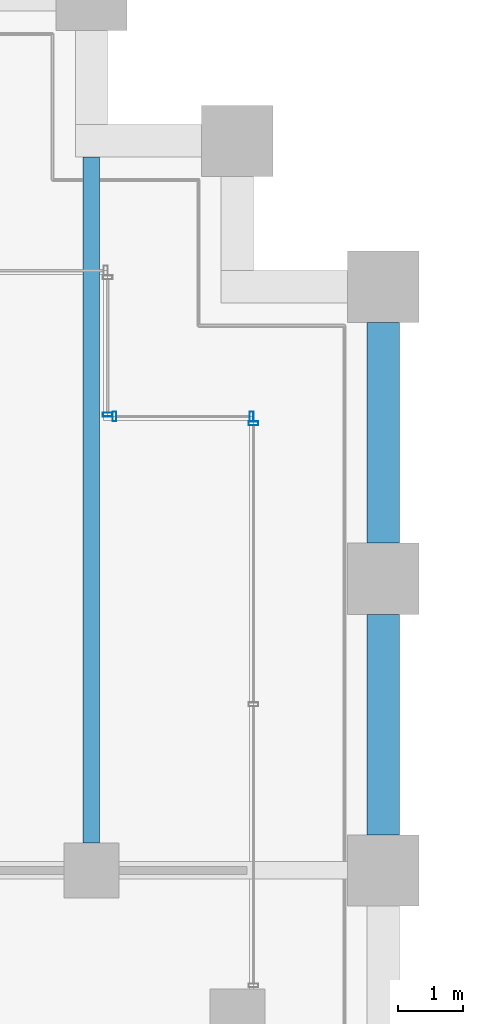
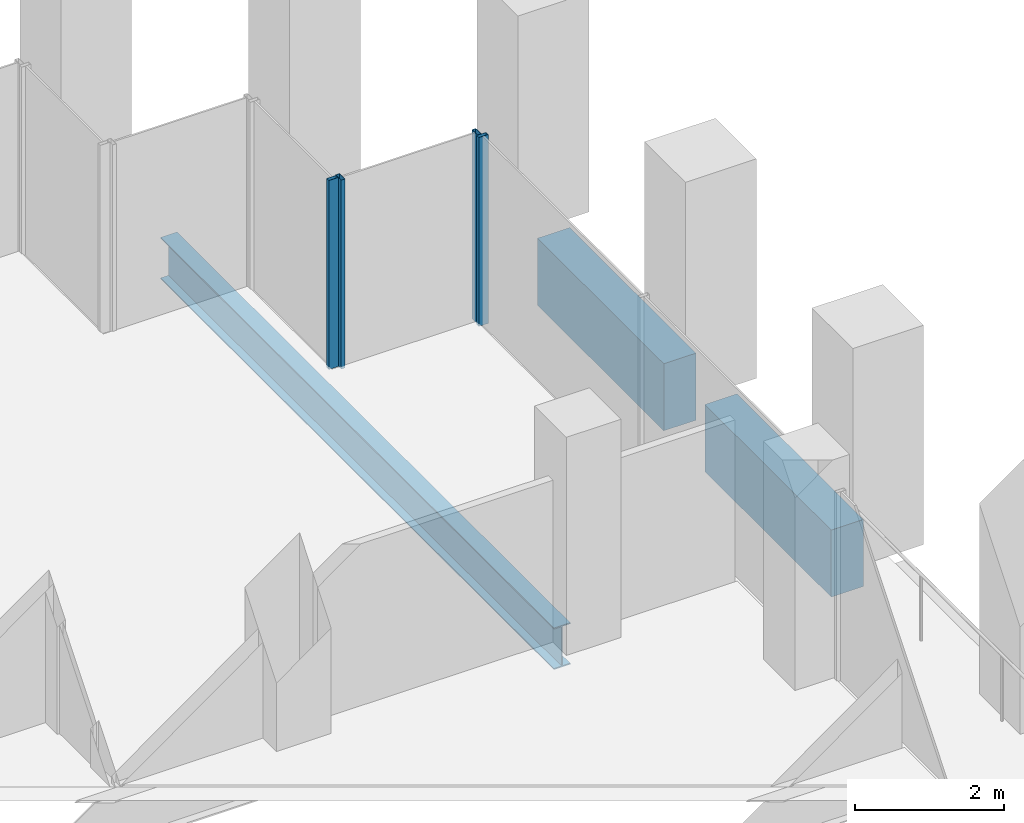
# One storey, part 31 of 56: 4 members, 3 beams, 3 elements without a shape of their own.
"""IFC4 building model written with IfcOpenShell, lengths in metres."""

import ifcopenshell
import ifcopenshell.guid

model = None  # the IFC model being written
_history = None  # IfcOwnerHistory: only IFC2X3 demands one
_inside = {}  # id of a spatial element -> (the spatial element, [elements in it])
_under = {}  # id of a project, library or spatial element -> (it, [spatial elements below it])
_declared = {}  # id of a project -> (the project, [libraries it declares])
_typed = {}  # id of a type object -> (the type object, [elements of that type])
_made_of = {}  # id of a material, layer set ... -> (it, [elements and type objects made of it])


def new_model(schema):
    """Start an empty IFC model of exactly this schema.

    Asked for "IFC4X3", IfcOpenShell would pick the latest addendum, in which some entities
    have other attributes; the version numbers below select the first issue.
    IFC2X3 requires an IfcOwnerHistory on every rooted entity: one is made here for all.
    """
    global model, _history
    if schema == "IFC4X3":
        model = ifcopenshell.file(schema_version=(4, 3, 0, 0))
    else:
        model = ifcopenshell.file(schema=schema)
    _inside.clear()
    _under.clear()
    _declared.clear()
    _typed.clear()
    _made_of.clear()
    _history = None
    if model.schema == "IFC2X3":
        org = make("IfcOrganization", Name="unknown")
        user = make(
            "IfcPersonAndOrganization",
            ThePerson=make("IfcPerson", FamilyName="unknown"),
            TheOrganization=org,
        )
        app = make(
            "IfcApplication",
            ApplicationDeveloper=org,
            Version="unknown",
            ApplicationFullName="unknown",
            ApplicationIdentifier="unknown",
        )
        _history = make(
            "IfcOwnerHistory",
            OwningUser=user,
            OwningApplication=app,
            ChangeAction="ADDED",
            CreationDate=0,
        )
    return model


def make(cls, **values):
    """One entity of the class cls with the attributes given. An attribute that is None is left unset."""
    return model.create_entity(
        cls, **{name: value for name, value in values.items() if value is not None}
    )


def rooted(cls, **values):
    """An entity with a GlobalId (a new one), such as an element, a storey or a relation."""
    return make(cls, GlobalId=ifcopenshell.guid.new(), OwnerHistory=_history, **values)


def si_unit(unit_type, name, prefix=None):
    """IfcSIUnit, for example si_unit("LENGTHUNIT", "METRE", prefix="MILLI")."""
    return make("IfcSIUnit", UnitType=unit_type, Prefix=prefix, Name=name)


def assignment(units):
    """IfcUnitAssignment: the units of a project."""
    return None if units is None else make("IfcUnitAssignment", Units=units)


def point(xyz):
    """IfcCartesianPoint."""
    return None if xyz is None else make("IfcCartesianPoint", Coordinates=xyz)


def direction(xyz):
    """IfcDirection."""
    return None if xyz is None else make("IfcDirection", DirectionRatios=xyz)


def frame(location, z_axis=None, x_axis=None):
    """IfcAxis2Placement3D, a coordinate frame: its origin and axes. An axis left out is left unset."""
    return make(
        "IfcAxis2Placement3D",
        Location=point(location),
        Axis=direction(z_axis),
        RefDirection=direction(x_axis),
    )


def frame_2d(location, x_axis=None):
    """IfcAxis2Placement2D, a coordinate frame in the plane: its origin and x axis."""
    return make(
        "IfcAxis2Placement2D", Location=point(location), RefDirection=direction(x_axis)
    )


def origin():
    """The frame at (0, 0, 0) with its axes left unset."""
    return frame((0.0, 0.0, 0.0))


def origin_2d():
    """The frame at (0, 0) in the plane with its x axis left unset."""
    return frame_2d((0.0, 0.0))


def place(relative_to, where):
    """IfcLocalPlacement: puts the frame where relative to a parent placement (None: the world)."""
    return make(
        "IfcLocalPlacement", PlacementRelTo=relative_to, RelativePlacement=where
    )


def context(
    kind, dimensions, precision=None, world=None, true_north=None, identifier=None
):
    """IfcGeometricRepresentationContext, for example the 3D "Model" context."""
    return make(
        "IfcGeometricRepresentationContext",
        ContextIdentifier=identifier,
        ContextType=kind,
        CoordinateSpaceDimension=dimensions,
        Precision=precision,
        WorldCoordinateSystem=world,
        TrueNorth=true_north,
    )


def subcontext(parent, identifier, kind, view, scale=None):
    """IfcGeometricRepresentationSubContext, for example "Body" below "Model"."""
    return make(
        "IfcGeometricRepresentationSubContext",
        ContextIdentifier=identifier,
        ContextType=kind,
        ParentContext=parent,
        TargetScale=scale,
        TargetView=view,
    )


def project(units=None, contexts=None):
    """IfcProject with its units and contexts."""
    return rooted(
        "IfcProject",
        Name="project",
        RepresentationContexts=contexts,
        UnitsInContext=assignment(units),
    )


def spatial(cls, under=None, at=None, **own):
    """A site, building, storey or space (cls), placed at a placement, below another one or the project."""
    s = rooted(cls, ObjectPlacement=at, **own)
    if under is not None:
        _under.setdefault(under.id(), (under, []))[1].append(s)
    return s


def profile(cls, at=None, kind="AREA", **sizes):
    """A parametric profile (cls). Its sizes go by their IFC names, for example OverallWidth=200.0."""
    return make(cls, ProfileType=kind, Position=at, **sizes)


def rectangle(**sizes):
    """IfcRectangleProfileDef."""
    return profile("IfcRectangleProfileDef", **sizes)


def hollow_rectangle(**sizes):
    """IfcRectangleHollowProfileDef."""
    return profile("IfcRectangleHollowProfileDef", **sizes)


def i_section(**sizes):
    """IfcIShapeProfileDef."""
    return profile("IfcIShapeProfileDef", **sizes)


def extrude(swept, where, along, depth):
    """IfcExtrudedAreaSolid: the profile swept, set in the frame where, extruded along a direction by depth."""
    return make(
        "IfcExtrudedAreaSolid",
        SweptArea=swept,
        Position=where,
        ExtrudedDirection=direction(along),
        Depth=depth,
    )


def shape(context_of_items, identifier, shape_type, items):
    """IfcShapeRepresentation: the items that make up one representation, for example the "Body"."""
    return make(
        "IfcShapeRepresentation",
        ContextOfItems=context_of_items,
        RepresentationIdentifier=identifier,
        RepresentationType=shape_type,
        Items=items,
    )


def material(Name=None, Category=None):
    """IfcMaterial."""
    return make("IfcMaterial", Name=Name, Category=Category)


def material_profile(
    of_material, cross_section, Name=None, Category=None, Priority=None
):
    """IfcMaterialProfile: a cross section and its material."""
    return make(
        "IfcMaterialProfile",
        Name=Name,
        Material=of_material,
        Profile=cross_section,
        Priority=Priority,
        Category=Category,
    )


def profile_set(profiles, Name=None, composite=None):
    """IfcMaterialProfileSet."""
    return make(
        "IfcMaterialProfileSet",
        Name=Name,
        MaterialProfiles=profiles,
        CompositeProfile=composite,
    )


def made_of(thing, what):
    """Note that an element or type object is made of a material, layer set ...; save() writes the relation."""
    if what is not None:
        _made_of.setdefault(what.id(), (what, []))[1].append(thing)
    return thing


def type_object(cls, material=None, **own):
    """A type object (cls), such as IfcWallType, which elements share."""
    return made_of(rooted(cls, **own), material)


def element(
    cls,
    number,
    at=None,
    inside=None,
    cuts=None,
    type_object=None,
    material=None,
    context=None,
    identifier="Body",
    shape_type=None,
    held_by="IfcProductDefinitionShape",
    body=None,
    shapes=None,
    **own,
):
    """One element of the class cls, such as IfcWall. Its Tag is "e" and its number.

    at: its placement. inside: the storey or other place that contains it. cuts: it is an
    opening in that element (IfcRelVoidsElement). A single representation is given by context,
    identifier, shape_type and body (its items); several are given by shapes. held_by: the class
    of the entity that holds the representations. save() writes the other relations.
    """
    e = rooted(cls, Tag="e%d" % number, ObjectPlacement=at, **own)
    if body is not None:
        shapes = [shape(context, identifier, shape_type, body)]
    if shapes is not None:
        e.Representation = make(held_by, Representations=shapes)
    if inside is not None:
        _inside.setdefault(inside.id(), (inside, []))[1].append(e)
    if cuts is not None:
        rooted(
            "IfcRelVoidsElement", RelatingBuildingElement=cuts, RelatedOpeningElement=e
        )
    if type_object is not None:
        _typed.setdefault(type_object.id(), (type_object, []))[1].append(e)
    return made_of(e, material)


def aggregate(whole, parts):
    """IfcRelAggregates: a whole, such as a stair, and the parts it consists of."""
    return rooted("IfcRelAggregates", RelatingObject=whole, RelatedObjects=parts)


def save(model, path):
    """Write the relations noted so far, then the file.

    IfcRelAggregates (storeys below a building ...), IfcRelContainedInSpatialStructure (elements
    in a storey), IfcRelDefinesByType, IfcRelAssociatesMaterial and IfcRelDeclares: one each for
    every whole, place, type object, material and project.
    """
    for whole, parts in _under.values():
        aggregate(whole, parts)
    for where, things in _inside.values():
        rooted(
            "IfcRelContainedInSpatialStructure",
            RelatedElements=things,
            RelatingStructure=where,
        )
    for kind, things in _typed.values():
        rooted("IfcRelDefinesByType", RelatedObjects=things, RelatingType=kind)
    for what, things in _made_of.values():
        rooted("IfcRelAssociatesMaterial", RelatedObjects=things, RelatingMaterial=what)
    for by, libraries in _declared.values():
        rooted("IfcRelDeclares", RelatingContext=by, RelatedDefinitions=libraries)
    model.write(path)


model = new_model("IFC4")

# Units and contexts
model_context = context("Model", 3, precision=1e-05, world=origin(), true_north=direction((0.0, 1.0)))
body_context = subcontext(model_context, "Body", "Model", "MODEL_VIEW")
ifc_project = project(units=[si_unit("LENGTHUNIT", "METRE"), si_unit("AREAUNIT", "SQUARE_METRE"), si_unit("VOLUMEUNIT", "CUBIC_METRE"), si_unit("PLANEANGLEUNIT", "RADIAN"), si_unit("MASSUNIT", "GRAM", prefix="KILO")], contexts=[model_context])

# Site, building, storey
site_placement = place(None, origin())
site = spatial("IfcSite", under=ifc_project, at=site_placement, CompositionType="ELEMENT")
building_placement = place(site_placement, origin())
building = spatial("IfcBuilding", under=site, at=building_placement, Name="Altepetl Exchange Towers", CompositionType="ELEMENT")
storey_placement = place(building_placement, frame((0.0, 0.0, 69.0)))
storey = spatial("IfcBuildingStorey", under=building, at=storey_placement, Name="L16", CompositionType="ELEMENT", Elevation=69.0)

# Beam
ifc_material_1 = material(Name="Steel S355", Category="steel")
ifc_material_profile_1 = material_profile(ifc_material_1, i_section(OverallWidth=0.25390625, OverallDepth=0.68408203125, WebThickness=0.012451171875, FlangeThickness=0.018798828125, at=origin_2d()), Name="W27X94")
ifc_profile_set_1 = profile_set([ifc_material_profile_1], Name="Steel S355")
beam_type_1 = type_object("IfcBeamType", Name="Floor beam W27X94", PredefinedType="BEAM", material=ifc_profile_set_1)
beam_placement = place(storey_placement, frame((67.5, 58.925048828125, -0.491943359375), z_axis=(0.0, 1.0, 0.0), x_axis=(-1.0, 0.0, 0.0)))
element("IfcBeam", 1, at=beam_placement, inside=storey, type_object=beam_type_1, Name="bm:A:L16:005", PredefinedType="BEAM", context=body_context, shape_type="SweptSolid", body=[
    extrude(i_section(OverallWidth=0.25390625, OverallDepth=0.68408203125, WebThickness=0.012451171875, FlangeThickness=0.018798828125, at=origin_2d()), origin(), (0.0, 0.0, 1.0), 10.574951171875),
])

# Curtain wall, member
ifc_material_2 = material(Name="Aluminium 6063-T6 glazing", Category="aluminium")
curtain_wall_type = type_object("IfcCurtainWallType", Name="Loggia glazing system", PredefinedType="NOTDEFINED", material=ifc_material_2)
curtain_wall_1_placement = place(storey_placement, origin())
curtain_wall_1 = element("IfcCurtainWall", 2, at=curtain_wall_1_placement, inside=storey, type_object=curtain_wall_type, Name="CW1 run", PredefinedType="NOTDEFINED")
ifc_material_3 = material(Name="Aluminium 6063-T6", Category="aluminium")
ifc_material_profile_2 = material_profile(ifc_material_3, hollow_rectangle(XDim=0.06005859375, YDim=0.14990234375, WallThickness=0.0029296875, at=origin_2d()), Name="Mullion 60x150 aluminium")
ifc_profile_set_2 = profile_set([ifc_material_profile_2], Name="Aluminium 6063-T6")
member_type = type_object("IfcMemberType", Name="Mullion 60x150 aluminium", PredefinedType="MULLION", material=ifc_profile_set_2)
member_1_placement = place(storey_placement, frame((70.0, 65.39501953125, 0.0), z_axis=(0.0, 0.0, 1.0), x_axis=(0.0, 1.0, 0.0)))
member_1 = element("IfcMember", 3, at=member_1_placement, type_object=member_type, Name="MU1 mullion", PredefinedType="MULLION", context=body_context, shape_type="SweptSolid", body=[
    extrude(hollow_rectangle(XDim=0.06005859375, YDim=0.14990234375, WallThickness=0.0029296875, at=origin_2d()), origin(), (0.0, 0.0, 1.0), 3.10009765625),
])
aggregate(curtain_wall_1, [member_1])

# Curtain wall, members
curtain_wall_2_placement = place(storey_placement, origin())
curtain_wall_2 = element("IfcCurtainWall", 4, at=curtain_wall_2_placement, inside=storey, type_object=curtain_wall_type, Name="CW1 run", PredefinedType="NOTDEFINED")
member_2_placement = place(storey_placement, frame((69.969970703125, 65.5, 0.0), z_axis=(0.0, 0.0, 1.0), x_axis=(-1.0, 0.0, 0.0)))
member_2 = element("IfcMember", 5, at=member_2_placement, type_object=member_type, Name="MU1 mullion", PredefinedType="MULLION", context=body_context, shape_type="SweptSolid", body=[
    extrude(hollow_rectangle(XDim=0.06005859375, YDim=0.14990234375, WallThickness=0.0029296875, at=origin_2d()), origin(), (0.0, 0.0, 1.0), 3.10009765625),
])
member_3_placement = place(storey_placement, frame((67.85498046875, 65.5, 0.0), z_axis=(0.0, 0.0, 1.0), x_axis=(-1.0, 0.0, 0.0)))
member_3 = element("IfcMember", 6, at=member_3_placement, type_object=member_type, Name="MU1 mullion", PredefinedType="MULLION", context=body_context, shape_type="SweptSolid", body=[
    extrude(hollow_rectangle(XDim=0.06005859375, YDim=0.14990234375, WallThickness=0.0029296875, at=origin_2d()), origin(), (0.0, 0.0, 1.0), 3.10009765625),
])
aggregate(curtain_wall_2, [member_2, member_3])

# Curtain wall, member
curtain_wall_3_placement = place(storey_placement, origin())
curtain_wall_3 = element("IfcCurtainWall", 7, at=curtain_wall_3_placement, inside=storey, type_object=curtain_wall_type, Name="CW1 run", PredefinedType="NOTDEFINED")
member_4_placement = place(storey_placement, frame((67.75, 65.530029296875, 0.0), z_axis=(0.0, 0.0, 1.0), x_axis=(0.0, 1.0, 0.0)))
member_4 = element("IfcMember", 8, at=member_4_placement, type_object=member_type, Name="MU1 mullion", PredefinedType="MULLION", context=body_context, shape_type="SweptSolid", body=[
    extrude(hollow_rectangle(XDim=0.06005859375, YDim=0.14990234375, WallThickness=0.0029296875, at=origin_2d()), origin(), (0.0, 0.0, 1.0), 3.10009765625),
])
aggregate(curtain_wall_3, [member_4])

# Beams
ifc_material_4 = material(Name="Concrete C50/60 precast with cantera rosa facing", Category="concrete")
ifc_material_profile_3 = material_profile(ifc_material_4, rectangle(XDim=0.5, YDim=1.10009765625, at=origin_2d()), Name="500 x 1100")
ifc_profile_set_3 = profile_set([ifc_material_profile_3], Name="Concrete C50/60 precast with cantera rosa facing")
beam_type_2 = type_object("IfcBeamType", Name="Spandrel beam 500x1100 cantera rosa", PredefinedType="SPANDREL", material=ifc_profile_set_3)
for number, where, z_axis, x_axis, name in (
    (9, (72.0, 59.050048828125, -0.699951171875), (0.0, 1.0, 0.0), (-1.0, 0.0, 0.0), "sp:A:L16:018"),
    (10, (72.0, 63.550048828125, -0.699951171875), (0.0, 1.0, 0.0), (-1.0, 0.0, 0.0), "sp:A:L16:019"),
):
    element("IfcBeam", number, at=place(storey_placement, frame(where, z_axis=z_axis, x_axis=x_axis)), inside=storey, type_object=beam_type_2, Name=name, PredefinedType="SPANDREL", context=body_context, shape_type="SweptSolid", body=[
        extrude(rectangle(XDim=0.5, YDim=1.10009765625, at=origin_2d()), origin(), (0.0, 0.0, 1.0), 3.39990234375),
    ])

save(model, "model.ifc")
